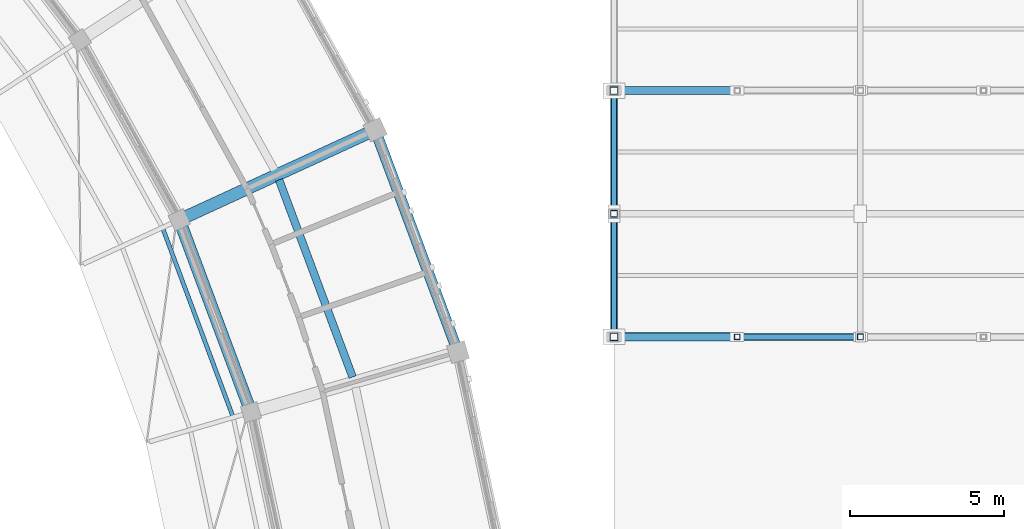
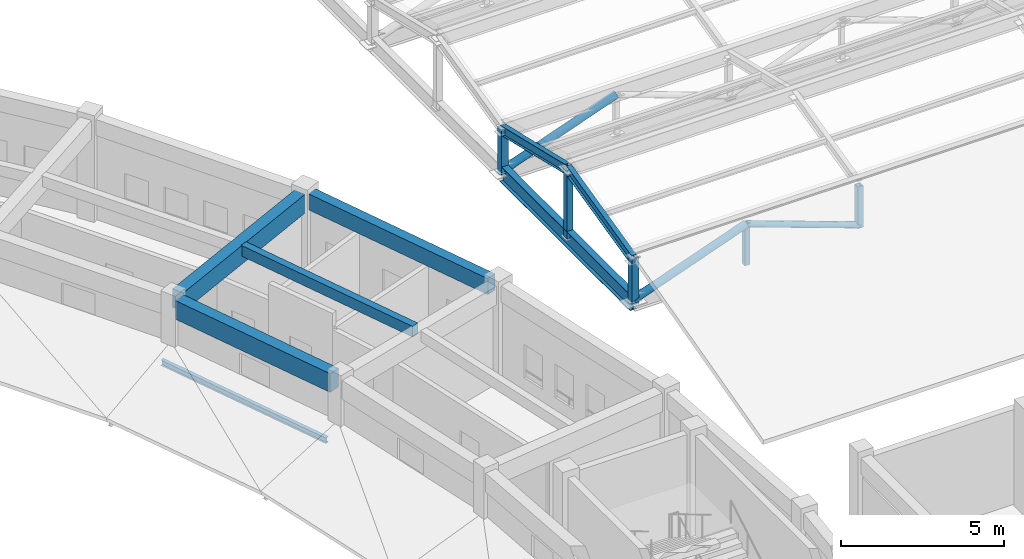
# One storey, part 37 of 112: 12 members, 4 beams.
"""IFC4 building model written with IfcOpenShell, lengths in metres."""

from ifc_helpers import new_model, si_unit, direction, frame, origin, origin_2d, place, context, subcontext, project, spatial, rectangle, hollow_rectangle, hollow_circle, i_section, extrude, material, material_profile, profile_set, type_object, element, save


model = new_model("IFC4")

# Units and contexts
model_context = context("Model", 3, precision=1e-05, world=origin(), true_north=direction((0.0, 1.0)))
body_context = subcontext(model_context, "Body", "Model", "MODEL_VIEW")
ifc_project = project(units=[si_unit("LENGTHUNIT", "METRE"), si_unit("AREAUNIT", "SQUARE_METRE"), si_unit("VOLUMEUNIT", "CUBIC_METRE"), si_unit("PLANEANGLEUNIT", "RADIAN"), si_unit("MASSUNIT", "GRAM", prefix="KILO")], contexts=[model_context])

# Site, building, storey
site_placement = place(None, origin())
site = spatial("IfcSite", under=ifc_project, at=site_placement, CompositionType="ELEMENT")
building_placement = place(site_placement, origin())
building = spatial("IfcBuilding", under=site, at=building_placement, Name="Celadon Cloister-Ring School", CompositionType="ELEMENT")
storey_placement = place(building_placement, frame((0.0, 0.0, 8.5)))
storey = spatial("IfcBuildingStorey", under=building, at=storey_placement, Name="L02", CompositionType="ELEMENT", Elevation=8.5)

# Beams
ifc_material_1 = material(Name="Concrete C35/45", Category="concrete")
ifc_material_profile_1 = material_profile(ifc_material_1, rectangle(XDim=0.39990234375, YDim=0.699951171875, at=origin_2d()), Name="RC400X700")
ifc_profile_set_1 = profile_set([ifc_material_profile_1], Name="Concrete C35/45")
beam_type_1 = type_object("IfcBeamType", Name="GT-03", PredefinedType="USERDEFINED", material=ifc_profile_set_1)
beam_1_placement = place(storey_placement, frame((133.993896484375, 80.611083984375, 3.449951171875), z_axis=(-0.908492742979, -0.417900629282, 0.0), x_axis=(0.417900629282, -0.908492742979, 0.0)))
element("IfcBeam", 1, at=beam_1_placement, inside=storey, type_object=beam_type_1, Name="Beam 0424", ObjectType="GIRDER", PredefinedType="USERDEFINED", context=body_context, shape_type="SweptSolid", body=[
    extrude(rectangle(XDim=0.39990234375, YDim=0.699951171875, at=origin_2d()), origin(), (0.0, 0.0, 1.0), 6.475341796875),
])
beam_2_placement = place(storey_placement, frame((130.1259765625, 71.7890625, 3.449951171875), z_axis=(-0.349465513072, 0.936949227639, 0.0), x_axis=(-0.936949227639, -0.349465513072, 0.0)))
element("IfcBeam", 2, at=beam_2_placement, inside=storey, type_object=beam_type_1, Name="Beam 0510", ObjectType="GIRDER", PredefinedType="USERDEFINED", context=body_context, shape_type="SweptSolid", body=[
    extrude(rectangle(XDim=0.39990234375, YDim=0.699951171875, at=origin_2d()), origin(), (0.0, 0.0, 1.0), 6.166748046875),
])
ifc_material_2 = material(Name="Concrete C35/45", Category="concrete")
ifc_material_profile_2 = material_profile(ifc_material_2, rectangle(XDim=0.25, YDim=0.39990234375, at=origin_2d()), Name="RC250X400")
ifc_profile_set_2 = profile_set([ifc_material_profile_2], Name="Concrete C35/45")
beam_type_2 = type_object("IfcBeamType", Name="JT-02", PredefinedType="JOIST", material=ifc_profile_set_2)
beam_3_placement = place(storey_placement, frame((133.512939453125, 72.695068359375, 3.60009765625), z_axis=(-0.349380854663, 0.936980799374, 0.0), x_axis=(-0.936980799374, -0.349380854663, 0.0)))
element("IfcBeam", 3, at=beam_3_placement, inside=storey, type_object=beam_type_2, Name="Beam 0511", PredefinedType="JOIST", context=body_context, shape_type="SweptSolid", body=[
    extrude(rectangle(XDim=0.25, YDim=0.39990234375, at=origin_2d()), origin(), (0.0, 0.0, 1.0), 6.834716796875),
])

# Members
ifc_material_3 = material(Name="Structural steel S355JR", Category="steel")
ifc_material_profile_3 = material_profile(ifc_material_3, hollow_rectangle(XDim=0.25, YDim=0.25, WallThickness=0.010009765625, at=origin_2d()), Name="HSS250X250X10")
ifc_profile_set_3 = profile_set([ifc_material_profile_3], Name="Structural steel S355JR")
member_type_1 = type_object("IfcMemberType", Name="MB-01", PredefinedType="BRACE", material=ifc_profile_set_3)
for number, where, z_axis, x_axis, name in (
    (4, (142.0, 74.0, 0.85009765625), (0.0, 0.0, 1.0), (1.0, 0.0, 0.0), "Structural Member 0393"),
    (5, (142.0, 82.0, 0.85009765625), (0.0, 0.0, 1.0), (1.0, 0.0, 0.0), "Structural Member 0412"),
):
    element("IfcMember", number, at=place(storey_placement, frame(where, z_axis=z_axis, x_axis=x_axis)), inside=storey, type_object=member_type_1, Name=name, PredefinedType="BRACE", context=body_context, shape_type="SweptSolid", body=[
        extrude(hollow_rectangle(XDim=0.25, YDim=0.25, WallThickness=0.010009765625, at=origin_2d()), origin(), (0.0, 0.0, 1.0), 1.75),
    ])
ifc_material_4 = material(Name="Structural steel S355JR", Category="steel")
ifc_material_profile_4 = material_profile(ifc_material_4, hollow_rectangle(XDim=0.219970703125, YDim=0.219970703125, WallThickness=0.010009765625, at=origin_2d()), Name="HSS220X220X10")
ifc_profile_set_4 = profile_set([ifc_material_profile_4], Name="Structural steel S355JR")
member_type_2 = type_object("IfcMemberType", Name="MB-02", PredefinedType="BRACE", material=ifc_profile_set_4)
member_1_placement = place(storey_placement, frame((142.0, 78.0, 0.919921875), z_axis=(0.0, 0.0, 1.0), x_axis=(1.0, 0.0, 0.0)))
element("IfcMember", 6, at=member_1_placement, inside=storey, type_object=member_type_2, Name="Structural Member 0507", PredefinedType="BRACE", context=body_context, shape_type="SweptSolid", body=[
    extrude(hollow_rectangle(XDim=0.219970703125, YDim=0.219970703125, WallThickness=0.010009765625, at=origin_2d()), origin(), (0.0, 0.0, 1.0), 2.580078125),
])
ifc_material_5 = material(Name="Structural steel S355JR", Category="steel")
ifc_material_profile_5 = material_profile(ifc_material_5, hollow_rectangle(XDim=0.199951171875, YDim=0.199951171875, WallThickness=0.010009765625, at=origin_2d()), Name="HSS200X200X10")
ifc_profile_set_5 = profile_set([ifc_material_profile_5], Name="Structural steel S355JR")
member_type_3 = type_object("IfcMemberType", Name="MB-03", PredefinedType="BRACE", material=ifc_profile_set_5)
member_2_placement = place(storey_placement, frame((150.0, 74.0, 0.919921875), z_axis=(0.0, 0.0, 1.0), x_axis=(1.0, 0.0, 0.0)))
element("IfcMember", 7, at=member_2_placement, inside=storey, type_object=member_type_3, Name="Structural Member 0399", PredefinedType="BRACE", context=body_context, shape_type="SweptSolid", body=[
    extrude(hollow_rectangle(XDim=0.199951171875, YDim=0.199951171875, WallThickness=0.010009765625, at=origin_2d()), origin(), (0.0, 0.0, 1.0), 1.56005859375),
])
ifc_material_6 = material(Name="Structural steel S355JR", Category="steel")
ifc_material_profile_6 = material_profile(ifc_material_6, hollow_rectangle(XDim=0.179931640625, YDim=0.179931640625, WallThickness=0.008056640625, at=origin_2d()), Name="HSS180X180X8")
ifc_profile_set_6 = profile_set([ifc_material_profile_6], Name="Structural steel S355JR")
member_type_4 = type_object("IfcMemberType", Name="MB-04", PredefinedType="BRACE", material=ifc_profile_set_6)
member_3_placement = place(storey_placement, frame((146.0, 74.0, 0.919921875), z_axis=(0.0, 0.0, 1.0), x_axis=(1.0, 0.0, 0.0)))
element("IfcMember", 8, at=member_3_placement, inside=storey, type_object=member_type_4, Name="Structural Member 0397", PredefinedType="BRACE", context=body_context, shape_type="SweptSolid", body=[
    extrude(hollow_rectangle(XDim=0.179931640625, YDim=0.179931640625, WallThickness=0.008056640625, at=origin_2d()), origin(), (0.0, 0.0, 1.0), 1.56005859375),
])
ifc_material_7 = material(Name="Structural steel S355JR", Category="steel")
ifc_material_profile_7 = material_profile(ifc_material_7, hollow_circle(Radius=0.136474609375, WallThickness=0.010009765625, at=origin_2d()), Name="CHS273.0X10")
ifc_profile_set_7 = profile_set([ifc_material_profile_7], Name="Structural steel S355JR")
member_type_5 = type_object("IfcMemberType", Name="MB-07", PredefinedType="BRACE", material=ifc_profile_set_7)
for number, where, z_axis, x_axis, name in (
    (9, (142.0, 74.0, 0.97998046875), (0.94089180426, 0.0, 0.338707266939), (0.0, 1.0, 0.0), "Structural Member 0404"),
    (10, (142.0, 82.0, 0.97998046875), (0.94089180426, 0.0, 0.338707266939), (0.0, 1.0, 0.0), "Structural Member 0423"),
):
    element("IfcMember", number, at=place(storey_placement, frame(where, z_axis=z_axis, x_axis=x_axis)), inside=storey, type_object=member_type_5, Name=name, PredefinedType="BRACE", context=body_context, shape_type="SweptSolid", body=[
        extrude(hollow_circle(Radius=0.136474609375, WallThickness=0.010009765625, at=origin_2d()), origin(), (0.0, 0.0, 1.0), 4.251220703125),
    ])
ifc_material_8 = material(Name="Structural steel S355JR", Category="steel")
ifc_material_profile_8 = material_profile(ifc_material_8, hollow_circle(Radius=0.109619140625, WallThickness=0.010009765625, at=origin_2d()), Name="CHS219.1X10")
ifc_profile_set_8 = profile_set([ifc_material_profile_8], Name="Structural steel S355JR")
member_type_6 = type_object("IfcMemberType", Name="MB-08", PredefinedType="BRACE", material=ifc_profile_set_8)
member_4_placement = place(storey_placement, frame((146.0, 74.0, 2.419921875), z_axis=(0.94089180426, 0.0, -0.338707266939), x_axis=(0.0, 1.0, 0.0)))
element("IfcMember", 11, at=member_4_placement, inside=storey, type_object=member_type_6, Name="Structural Member 0405", PredefinedType="BRACE", context=body_context, shape_type="SweptSolid", body=[
    extrude(hollow_circle(Radius=0.109619140625, WallThickness=0.010009765625, at=origin_2d()), origin(), (0.0, 0.0, 1.0), 4.251220703125),
])
ifc_material_9 = material(Name="Structural steel S355JR", Category="steel")
ifc_material_profile_9 = material_profile(ifc_material_9, i_section(OverallWidth=0.22900390625, OverallDepth=0.612060546875, WebThickness=0.011962890625, FlangeThickness=0.01953125, at=origin_2d()), Name="W610X125")
ifc_profile_set_9 = profile_set([ifc_material_profile_9], Name="Structural steel S355JR")
member_type_7 = type_object("IfcMemberType", Name="MC-01", PredefinedType="CHORD", material=ifc_profile_set_9)
member_5_placement = place(storey_placement, frame((142.0, 74.0, 0.89990234375), z_axis=(0.0, 1.0, 0.0), x_axis=(-1.0, 0.0, 0.0)))
element("IfcMember", 12, at=member_5_placement, inside=storey, type_object=member_type_7, Name="Structural Member 0383", PredefinedType="CHORD", context=body_context, shape_type="SweptSolid", body=[
    extrude(i_section(OverallWidth=0.22900390625, OverallDepth=0.612060546875, WebThickness=0.011962890625, FlangeThickness=0.01953125, at=origin_2d()), origin(), (0.0, 0.0, 1.0), 8.0),
])
ifc_material_10 = material(Name="Structural steel S355JR", Category="steel")
ifc_material_profile_10 = material_profile(ifc_material_10, i_section(OverallWidth=0.133056640625, OverallDepth=0.20703125, WebThickness=0.005859375, FlangeThickness=0.00830078125, at=origin_2d()), Name="W200X27")
ifc_profile_set_10 = profile_set([ifc_material_profile_10], Name="Structural steel S355JR")
member_type_8 = type_object("IfcMemberType", Name="MP-04", PredefinedType="PURLIN", material=ifc_profile_set_10)
member_6_placement = place(storey_placement, frame((129.636962890625, 71.386962890625, 1.62890625), z_axis=(-0.349349310127, 0.936992561077, 0.0), x_axis=(-0.936992561077, -0.349349310127, 0.0)))
element("IfcMember", 13, at=member_6_placement, inside=storey, type_object=member_type_8, Name="Structural Member 0230", PredefinedType="PURLIN", context=body_context, shape_type="SweptSolid", body=[
    extrude(i_section(OverallWidth=0.133056640625, OverallDepth=0.20703125, WebThickness=0.005859375, FlangeThickness=0.00830078125, at=origin_2d()), origin(), (0.0, 0.0, 1.0), 6.57763671875),
])
ifc_material_11 = material(Name="Structural steel S355JR", Category="steel")
ifc_material_profile_11 = material_profile(ifc_material_11, i_section(OverallWidth=0.1708984375, OverallDepth=0.35498046875, WebThickness=0.007080078125, FlangeThickness=0.01171875, at=origin_2d()), Name="W360X51")
ifc_profile_set_11 = profile_set([ifc_material_profile_11], Name="Structural steel S355JR")
member_type_9 = type_object("IfcMemberType", Name="MR-05", PredefinedType="RAFTER", material=ifc_profile_set_11)
for number, where, z_axis, x_axis, name in (
    (14, (142.0, 74.0, 2.5), (0.0, 0.97293922076, 0.231061188231), (-1.0, 0.0, 0.0), "Structural Member 0510"),
    (15, (142.0, 78.0, 3.449951171875), (0.0, 0.97293922076, -0.231061188231), (-1.0, 0.0, 0.0), "Structural Member 0511"),
):
    element("IfcMember", number, at=place(storey_placement, frame(where, z_axis=z_axis, x_axis=x_axis)), inside=storey, type_object=member_type_9, Name=name, PredefinedType="RAFTER", context=body_context, shape_type="SweptSolid", body=[
        extrude(i_section(OverallWidth=0.1708984375, OverallDepth=0.35498046875, WebThickness=0.007080078125, FlangeThickness=0.01171875, at=origin_2d()), origin(), (0.0, 0.0, 1.0), 4.111328125),
    ])

# Beam
ifc_material_12 = material(Name="Concrete C35/45", Category="concrete")
ifc_material_profile_12 = material_profile(ifc_material_12, rectangle(XDim=0.35009765625, YDim=0.60009765625, at=origin_2d()), Name="RC350X600")
ifc_profile_set_12 = profile_set([ifc_material_profile_12], Name="Concrete C35/45")
beam_type_3 = type_object("IfcBeamType", Name="SP-01", PredefinedType="SPANDREL", material=ifc_profile_set_12)
beam_4_placement = place(storey_placement, frame((136.839111328125, 73.76611328125, 3.5), z_axis=(-0.349383465048, 0.936979826011, 0.0), x_axis=(-0.936979826011, -0.349383465048, 0.0)))
element("IfcBeam", 16, at=beam_4_placement, inside=storey, type_object=beam_type_3, Name="Beam 0509", PredefinedType="SPANDREL", context=body_context, shape_type="SweptSolid", body=[
    extrude(rectangle(XDim=0.35009765625, YDim=0.60009765625, at=origin_2d()), origin(), (0.0, 0.0, 1.0), 7.152587890625),
])

save(model, "model.ifc")
